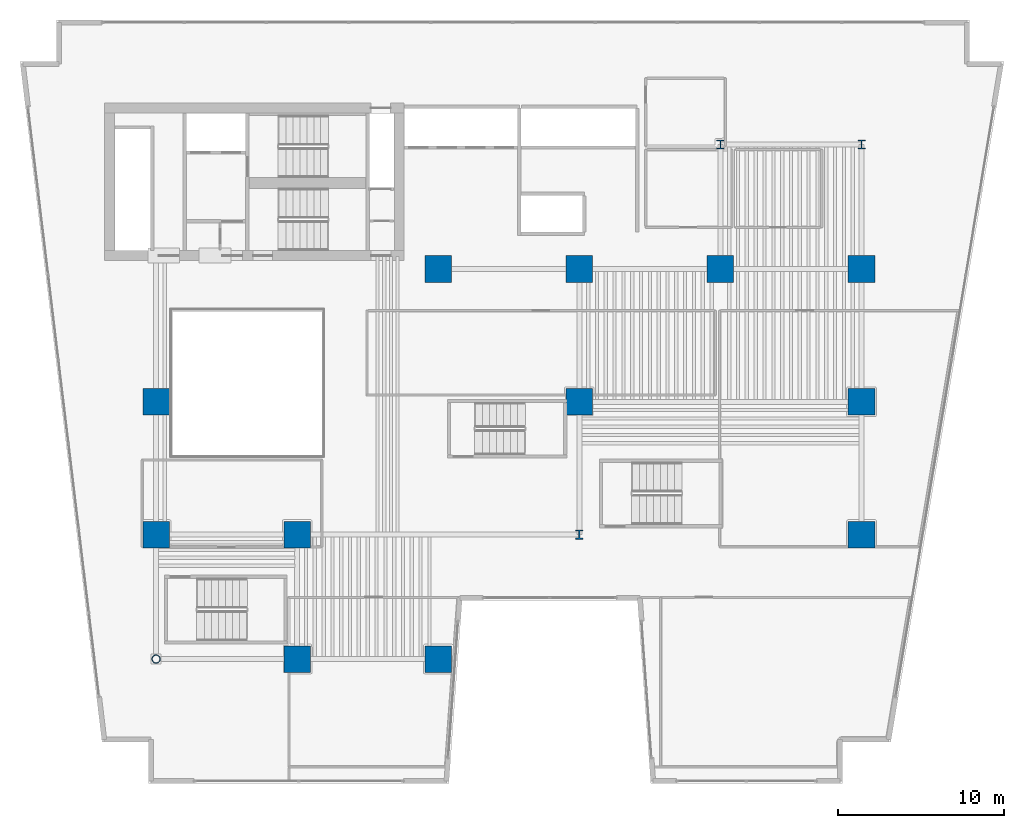
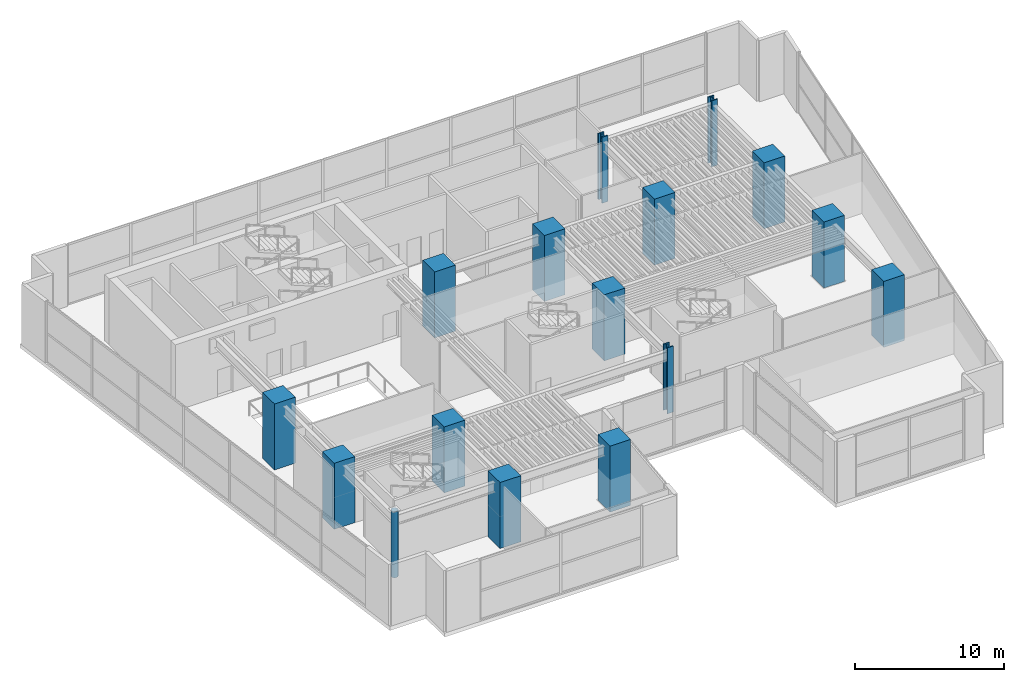
# One storey, part 1 of 16: 16 columns.
"""IFC4 building model written with IfcOpenShell, lengths in metres."""

from ifc_helpers import new_model, si_unit, direction, frame, origin, origin_2d, place, context, subcontext, project, spatial, rectangle, hollow_circle, i_section, extrude, material, material_profile, profile_set, type_object, element, save


model = new_model("IFC4")

# Units and contexts
model_context = context("Model", 3, precision=1e-05, world=origin(), true_north=direction((0.0, 1.0)))
body_context = subcontext(model_context, "Body", "Model", "MODEL_VIEW")
ifc_project = project(units=[si_unit("LENGTHUNIT", "METRE"), si_unit("AREAUNIT", "SQUARE_METRE"), si_unit("VOLUMEUNIT", "CUBIC_METRE"), si_unit("PLANEANGLEUNIT", "RADIAN"), si_unit("MASSUNIT", "GRAM", prefix="KILO")], contexts=[model_context])

# Site, building, storey
site_placement = place(None, origin())
site = spatial("IfcSite", under=ifc_project, at=site_placement, CompositionType="ELEMENT")
building_placement = place(site_placement, origin())
building = spatial("IfcBuilding", under=site, at=building_placement, Name="Caeloran Harvest Quay", CompositionType="ELEMENT")
storey_placement = place(building_placement, frame((0.0, 0.0, 16.199951171875)))
storey = spatial("IfcBuildingStorey", under=building, at=storey_placement, Name="L04", CompositionType="ELEMENT", Elevation=16.199951171875)

# Columns
ifc_material_1 = material(Name="Steel HISTAR 460", Category="steel")
ifc_material_profile_1 = material_profile(ifc_material_1, hollow_circle(Radius=0.25390625, WallThickness=0.02490234375, at=origin_2d()), Name="CHS 508x25")
ifc_profile_set_1 = profile_set([ifc_material_profile_1], Name="Steel HISTAR 460")
column_type_1 = type_object("IfcColumnType", Name="COL-CC-1-CHS_508x25", PredefinedType="COLUMN", material=ifc_profile_set_1)
column_placement = place(storey_placement, frame((8.5, 7.5, 0.0), z_axis=(0.0, 0.0, 1.0), x_axis=(1.0, 0.0, 0.0)))
element("IfcColumn", 1, at=column_placement, inside=storey, type_object=column_type_1, Name="L04 Structural Column (8.5, 7.5)", PredefinedType="COLUMN", context=body_context, shape_type="SweptSolid", body=[
    extrude(hollow_circle(Radius=0.25390625, WallThickness=0.02490234375, at=origin_2d()), origin(), (0.0, 0.0, 1.0), 5.400146484375),
])
ifc_material_2 = material(Name="Concrete C80/95", Category="concrete")
ifc_material_profile_2 = material_profile(ifc_material_2, rectangle(XDim=1.60009765625, YDim=1.60009765625, at=origin_2d()), Name="RC 1600x1600")
ifc_profile_set_2 = profile_set([ifc_material_profile_2], Name="Concrete C80/95")
column_type_2 = type_object("IfcColumnType", Name="COL-MC-1-RC_1600x1600", PredefinedType="COLUMN", material=ifc_profile_set_2)
for number, where, z_axis, x_axis, name in (
    (2, (8.5, 15.0, 0.0), (0.0, 0.0, 1.0), (1.0, 0.0, 0.0), "L04 Structural Column (8.5, 15.0)"),
    (3, (8.5, 23.0, 0.0), (0.0, 0.0, 1.0), (1.0, 0.0, 0.0), "L04 Structural Column (8.5, 23.0)"),
    (4, (17.0, 7.5, 0.0), (0.0, 0.0, 1.0), (1.0, 0.0, 0.0), "L04 Structural Column (17.0, 7.5)"),
    (5, (17.0, 15.0, 0.0), (0.0, 0.0, 1.0), (1.0, 0.0, 0.0), "L04 Structural Column (17.0, 15.0)"),
    (6, (25.5, 7.5, 0.0), (0.0, 0.0, 1.0), (1.0, 0.0, 0.0), "L04 Structural Column (25.5, 7.5)"),
    (7, (25.5, 31.0, 0.0), (0.0, 0.0, 1.0), (1.0, 0.0, 0.0), "L04 Structural Column (25.5, 31.0)"),
    (8, (34.0, 23.0, 0.0), (0.0, 0.0, 1.0), (1.0, 0.0, 0.0), "L04 Structural Column (34.0, 23.0)"),
    (9, (34.0, 31.0, 0.0), (0.0, 0.0, 1.0), (1.0, 0.0, 0.0), "L04 Structural Column (34.0, 31.0)"),
    (10, (42.5, 31.0, 0.0), (0.0, 0.0, 1.0), (1.0, 0.0, 0.0), "L04 Structural Column (42.5, 31.0)"),
    (11, (51.0, 15.0, 0.0), (0.0, 0.0, 1.0), (1.0, 0.0, 0.0), "L04 Structural Column (51.0, 15.0)"),
    (12, (51.0, 23.0, 0.0), (0.0, 0.0, 1.0), (1.0, 0.0, 0.0), "L04 Structural Column (51.0, 23.0)"),
    (13, (51.0, 31.0, 0.0), (0.0, 0.0, 1.0), (1.0, 0.0, 0.0), "L04 Structural Column (51.0, 31.0)"),
):
    element("IfcColumn", number, at=place(storey_placement, frame(where, z_axis=z_axis, x_axis=x_axis)), inside=storey, type_object=column_type_2, Name=name, PredefinedType="COLUMN", context=body_context, shape_type="SweptSolid", body=[
        extrude(rectangle(XDim=1.60009765625, YDim=1.60009765625, at=origin_2d()), origin(), (0.0, 0.0, 1.0), 5.400146484375),
    ])
ifc_material_profile_3 = material_profile(ifc_material_1, i_section(OverallWidth=0.4541015625, OverallDepth=0.569091796875, WebThickness=0.077880859375, FlangeThickness=0.080078125, FilletRadius=0.014892578125, at=origin_2d()), Name="HD 400x1086")
ifc_profile_set_3 = profile_set([ifc_material_profile_3], Name="Steel HISTAR 460")
column_type_3 = type_object("IfcColumnType", Name="COL-SC-1-HD_400x1086", PredefinedType="COLUMN", material=ifc_profile_set_3)
for number, where, z_axis, x_axis, name in (
    (14, (34.0, 15.0, 0.0), (0.0, 0.0, 1.0), (1.0, 0.0, 0.0), "L04 Structural Column (34.0, 15.0)"),
    (15, (42.5, 38.5, 0.0), (0.0, 0.0, 1.0), (1.0, 0.0, 0.0), "L04 Structural Column (42.5, 38.5)"),
    (16, (51.0, 38.5, 0.0), (0.0, 0.0, 1.0), (1.0, 0.0, 0.0), "L04 Structural Column (51.0, 38.5)"),
):
    element("IfcColumn", number, at=place(storey_placement, frame(where, z_axis=z_axis, x_axis=x_axis)), inside=storey, type_object=column_type_3, Name=name, PredefinedType="COLUMN", context=body_context, shape_type="SweptSolid", body=[
        extrude(i_section(OverallWidth=0.4541015625, OverallDepth=0.569091796875, WebThickness=0.077880859375, FlangeThickness=0.080078125, FilletRadius=0.014892578125, at=origin_2d()), origin(), (0.0, 0.0, 1.0), 5.400146484375),
    ])

save(model, "model.ifc")
